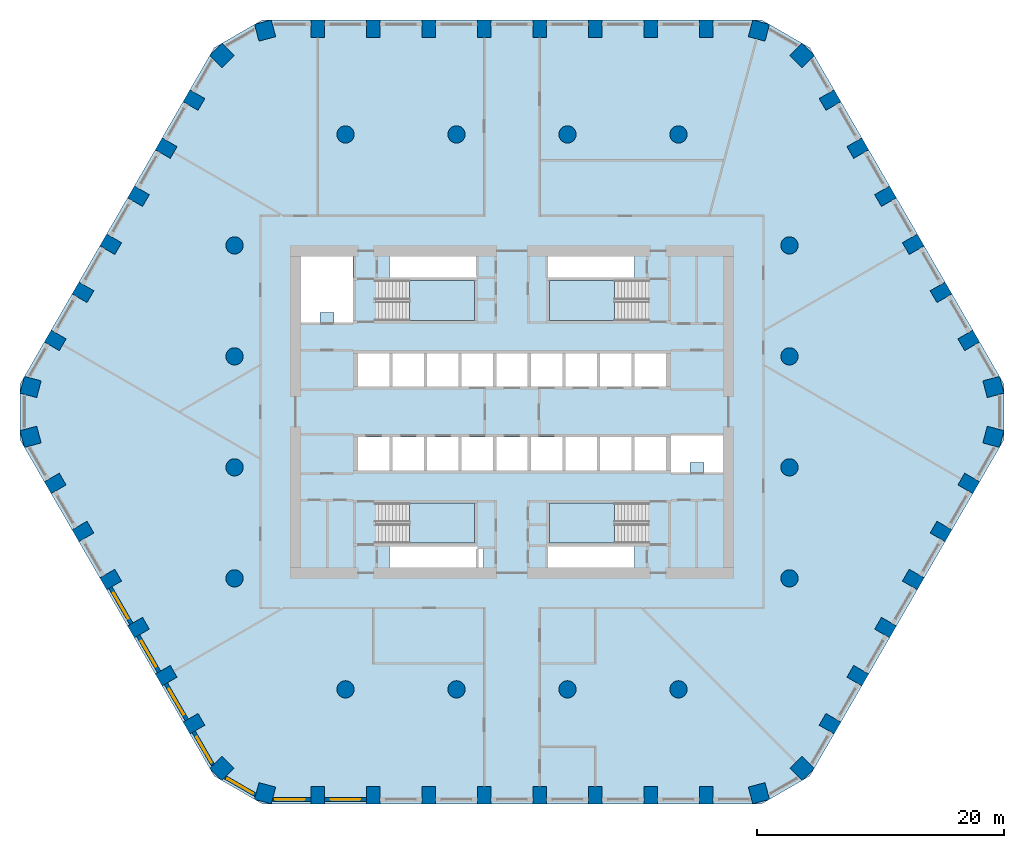
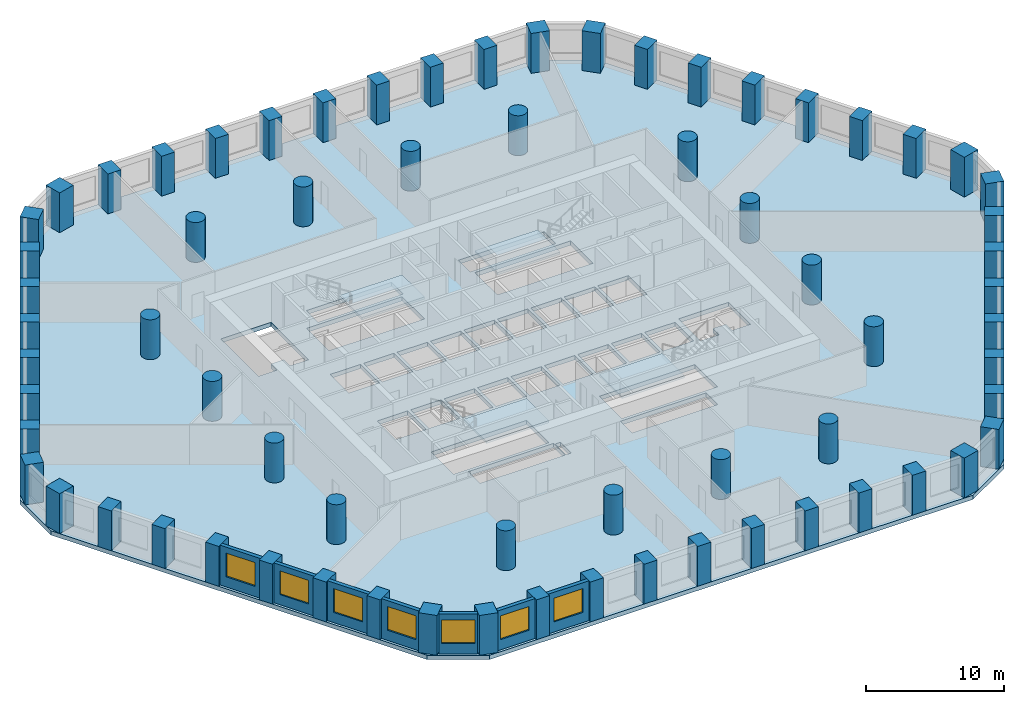
# One storey, part 1 of 10: 68 columns, 7 walls, 7 windows, 5 slabs, 7 openings, 4 elements without a shape of their own.
"""IFC4 building model written with IfcOpenShell, lengths in metres."""

import ifcopenshell
import ifcopenshell.guid

model = None  # the IFC model being written
_history = None  # IfcOwnerHistory: only IFC2X3 demands one
_inside = {}  # id of a spatial element -> (the spatial element, [elements in it])
_under = {}  # id of a project, library or spatial element -> (it, [spatial elements below it])
_declared = {}  # id of a project -> (the project, [libraries it declares])
_typed = {}  # id of a type object -> (the type object, [elements of that type])
_made_of = {}  # id of a material, layer set ... -> (it, [elements and type objects made of it])


def new_model(schema):
    """Start an empty IFC model of exactly this schema.

    Asked for "IFC4X3", IfcOpenShell would pick the latest addendum, in which some entities
    have other attributes; the version numbers below select the first issue.
    IFC2X3 requires an IfcOwnerHistory on every rooted entity: one is made here for all.
    """
    global model, _history
    if schema == "IFC4X3":
        model = ifcopenshell.file(schema_version=(4, 3, 0, 0))
    else:
        model = ifcopenshell.file(schema=schema)
    _inside.clear()
    _under.clear()
    _declared.clear()
    _typed.clear()
    _made_of.clear()
    _history = None
    if model.schema == "IFC2X3":
        org = make("IfcOrganization", Name="unknown")
        user = make(
            "IfcPersonAndOrganization",
            ThePerson=make("IfcPerson", FamilyName="unknown"),
            TheOrganization=org,
        )
        app = make(
            "IfcApplication",
            ApplicationDeveloper=org,
            Version="unknown",
            ApplicationFullName="unknown",
            ApplicationIdentifier="unknown",
        )
        _history = make(
            "IfcOwnerHistory",
            OwningUser=user,
            OwningApplication=app,
            ChangeAction="ADDED",
            CreationDate=0,
        )
    return model


def make(cls, **values):
    """One entity of the class cls with the attributes given. An attribute that is None is left unset."""
    return model.create_entity(
        cls, **{name: value for name, value in values.items() if value is not None}
    )


def rooted(cls, **values):
    """An entity with a GlobalId (a new one), such as an element, a storey or a relation."""
    return make(cls, GlobalId=ifcopenshell.guid.new(), OwnerHistory=_history, **values)


def si_unit(unit_type, name, prefix=None):
    """IfcSIUnit, for example si_unit("LENGTHUNIT", "METRE", prefix="MILLI")."""
    return make("IfcSIUnit", UnitType=unit_type, Prefix=prefix, Name=name)


def assignment(units):
    """IfcUnitAssignment: the units of a project."""
    return None if units is None else make("IfcUnitAssignment", Units=units)


def point(xyz):
    """IfcCartesianPoint."""
    return None if xyz is None else make("IfcCartesianPoint", Coordinates=xyz)


def direction(xyz):
    """IfcDirection."""
    return None if xyz is None else make("IfcDirection", DirectionRatios=xyz)


def frame(location, z_axis=None, x_axis=None):
    """IfcAxis2Placement3D, a coordinate frame: its origin and axes. An axis left out is left unset."""
    return make(
        "IfcAxis2Placement3D",
        Location=point(location),
        Axis=direction(z_axis),
        RefDirection=direction(x_axis),
    )


def frame_2d(location, x_axis=None):
    """IfcAxis2Placement2D, a coordinate frame in the plane: its origin and x axis."""
    return make(
        "IfcAxis2Placement2D", Location=point(location), RefDirection=direction(x_axis)
    )


def origin():
    """The frame at (0, 0, 0) with its axes left unset."""
    return frame((0.0, 0.0, 0.0))


def origin_2d():
    """The frame at (0, 0) in the plane with its x axis left unset."""
    return frame_2d((0.0, 0.0))


def place(relative_to, where):
    """IfcLocalPlacement: puts the frame where relative to a parent placement (None: the world)."""
    return make(
        "IfcLocalPlacement", PlacementRelTo=relative_to, RelativePlacement=where
    )


def context(
    kind, dimensions, precision=None, world=None, true_north=None, identifier=None
):
    """IfcGeometricRepresentationContext, for example the 3D "Model" context."""
    return make(
        "IfcGeometricRepresentationContext",
        ContextIdentifier=identifier,
        ContextType=kind,
        CoordinateSpaceDimension=dimensions,
        Precision=precision,
        WorldCoordinateSystem=world,
        TrueNorth=true_north,
    )


def subcontext(parent, identifier, kind, view, scale=None):
    """IfcGeometricRepresentationSubContext, for example "Body" below "Model"."""
    return make(
        "IfcGeometricRepresentationSubContext",
        ContextIdentifier=identifier,
        ContextType=kind,
        ParentContext=parent,
        TargetScale=scale,
        TargetView=view,
    )


def project(units=None, contexts=None):
    """IfcProject with its units and contexts."""
    return rooted(
        "IfcProject",
        Name="project",
        RepresentationContexts=contexts,
        UnitsInContext=assignment(units),
    )


def spatial(cls, under=None, at=None, **own):
    """A site, building, storey or space (cls), placed at a placement, below another one or the project."""
    s = rooted(cls, ObjectPlacement=at, **own)
    if under is not None:
        _under.setdefault(under.id(), (under, []))[1].append(s)
    return s


def polyline(points):
    """IfcPolyline through the points."""
    return make("IfcPolyline", Points=[point(p) for p in points])


def profile(cls, at=None, kind="AREA", **sizes):
    """A parametric profile (cls). Its sizes go by their IFC names, for example OverallWidth=200.0."""
    return make(cls, ProfileType=kind, Position=at, **sizes)


def rectangle(**sizes):
    """IfcRectangleProfileDef."""
    return profile("IfcRectangleProfileDef", **sizes)


def circle(**sizes):
    """IfcCircleProfileDef."""
    return profile("IfcCircleProfileDef", **sizes)


def outline(outer, holes=None, kind="AREA"):
    """IfcArbitraryClosedProfileDef: a profile drawn as a closed curve; with holes, ...WithVoids."""
    if holes is None:
        return make("IfcArbitraryClosedProfileDef", ProfileType=kind, OuterCurve=outer)
    return make(
        "IfcArbitraryProfileDefWithVoids",
        ProfileType=kind,
        OuterCurve=outer,
        InnerCurves=holes,
    )


def extrude(swept, where, along, depth):
    """IfcExtrudedAreaSolid: the profile swept, set in the frame where, extruded along a direction by depth."""
    return make(
        "IfcExtrudedAreaSolid",
        SweptArea=swept,
        Position=where,
        ExtrudedDirection=direction(along),
        Depth=depth,
    )


def shape(context_of_items, identifier, shape_type, items):
    """IfcShapeRepresentation: the items that make up one representation, for example the "Body"."""
    return make(
        "IfcShapeRepresentation",
        ContextOfItems=context_of_items,
        RepresentationIdentifier=identifier,
        RepresentationType=shape_type,
        Items=items,
    )


def material(Name=None, Category=None):
    """IfcMaterial."""
    return make("IfcMaterial", Name=Name, Category=Category)


def layer(
    of_material, thickness, ventilated=None, Name=None, Category=None, Priority=None
):
    """IfcMaterialLayer: one layer of a wall or slab, of a material (None: an air gap)."""
    return make(
        "IfcMaterialLayer",
        Material=of_material,
        LayerThickness=thickness,
        IsVentilated=ventilated,
        Name=Name,
        Category=Category,
        Priority=Priority,
    )


def layer_set(layers, Name=None):
    """IfcMaterialLayerSet."""
    return make("IfcMaterialLayerSet", MaterialLayers=layers, LayerSetName=Name)


def material_profile(
    of_material, cross_section, Name=None, Category=None, Priority=None
):
    """IfcMaterialProfile: a cross section and its material."""
    return make(
        "IfcMaterialProfile",
        Name=Name,
        Material=of_material,
        Profile=cross_section,
        Priority=Priority,
        Category=Category,
    )


def profile_set(profiles, Name=None, composite=None):
    """IfcMaterialProfileSet."""
    return make(
        "IfcMaterialProfileSet",
        Name=Name,
        MaterialProfiles=profiles,
        CompositeProfile=composite,
    )


def made_of(thing, what):
    """Note that an element or type object is made of a material, layer set ...; save() writes the relation."""
    if what is not None:
        _made_of.setdefault(what.id(), (what, []))[1].append(thing)
    return thing


def type_object(cls, material=None, **own):
    """A type object (cls), such as IfcWallType, which elements share."""
    return made_of(rooted(cls, **own), material)


def element(
    cls,
    number,
    at=None,
    inside=None,
    cuts=None,
    type_object=None,
    material=None,
    context=None,
    identifier="Body",
    shape_type=None,
    held_by="IfcProductDefinitionShape",
    body=None,
    shapes=None,
    **own,
):
    """One element of the class cls, such as IfcWall. Its Tag is "e" and its number.

    at: its placement. inside: the storey or other place that contains it. cuts: it is an
    opening in that element (IfcRelVoidsElement). A single representation is given by context,
    identifier, shape_type and body (its items); several are given by shapes. held_by: the class
    of the entity that holds the representations. save() writes the other relations.
    """
    e = rooted(cls, Tag="e%d" % number, ObjectPlacement=at, **own)
    if body is not None:
        shapes = [shape(context, identifier, shape_type, body)]
    if shapes is not None:
        e.Representation = make(held_by, Representations=shapes)
    if inside is not None:
        _inside.setdefault(inside.id(), (inside, []))[1].append(e)
    if cuts is not None:
        rooted(
            "IfcRelVoidsElement", RelatingBuildingElement=cuts, RelatedOpeningElement=e
        )
    if type_object is not None:
        _typed.setdefault(type_object.id(), (type_object, []))[1].append(e)
    return made_of(e, material)


def fill(opening, filler):
    """IfcRelFillsElement: the door or window that sits in an opening."""
    return rooted(
        "IfcRelFillsElement",
        RelatingOpeningElement=opening,
        RelatedBuildingElement=filler,
    )


def aggregate(whole, parts):
    """IfcRelAggregates: a whole, such as a stair, and the parts it consists of."""
    return rooted("IfcRelAggregates", RelatingObject=whole, RelatedObjects=parts)


def save(model, path):
    """Write the relations noted so far, then the file.

    IfcRelAggregates (storeys below a building ...), IfcRelContainedInSpatialStructure (elements
    in a storey), IfcRelDefinesByType, IfcRelAssociatesMaterial and IfcRelDeclares: one each for
    every whole, place, type object, material and project.
    """
    for whole, parts in _under.values():
        aggregate(whole, parts)
    for where, things in _inside.values():
        rooted(
            "IfcRelContainedInSpatialStructure",
            RelatedElements=things,
            RelatingStructure=where,
        )
    for kind, things in _typed.values():
        rooted("IfcRelDefinesByType", RelatedObjects=things, RelatingType=kind)
    for what, things in _made_of.values():
        rooted("IfcRelAssociatesMaterial", RelatedObjects=things, RelatingMaterial=what)
    for by, libraries in _declared.values():
        rooted("IfcRelDeclares", RelatingContext=by, RelatedDefinitions=libraries)
    model.write(path)


model = new_model("IFC4")

# Units and contexts
model_context = context("Model", 3, precision=1e-05, world=origin(), true_north=direction((0.0, 1.0)))
body_context = subcontext(model_context, "Body", "Model", "MODEL_VIEW")
ifc_project = project(units=[si_unit("LENGTHUNIT", "METRE"), si_unit("AREAUNIT", "SQUARE_METRE"), si_unit("VOLUMEUNIT", "CUBIC_METRE"), si_unit("PLANEANGLEUNIT", "RADIAN"), si_unit("MASSUNIT", "GRAM", prefix="KILO")], contexts=[model_context])

# Site, building, storey
site_placement = place(None, origin())
site = spatial("IfcSite", under=ifc_project, at=site_placement, CompositionType="ELEMENT")
building_placement = place(site_placement, origin())
building = spatial("IfcBuilding", under=site, at=building_placement, Name="Dhurran Vertical Campus", CompositionType="ELEMENT")
storey_placement = place(building_placement, frame((0.0, 0.0, 45.60009765625)))
storey = spatial("IfcBuildingStorey", under=building, at=storey_placement, Name="L10", CompositionType="ELEMENT", Elevation=45.60009765625)

# Columns
ifc_material_1 = material(Name="Concrete C70/85", Category="concrete")
ifc_material_profile_1 = material_profile(ifc_material_1, rectangle(XDim=1.10009765625, YDim=1.39990234375, at=origin_2d()), Name="RC 1100x1400")
ifc_profile_set_1 = profile_set([ifc_material_profile_1], Name="Concrete C70/85")
column_type_1 = type_object("IfcColumnType", Name="FR COL RC 1100x1400 C70/85", PredefinedType="COLUMN", material=ifc_profile_set_1)
for number, where, z_axis, x_axis, name in (
    (1, (-15.75, -31.079833984375, 0.0), (0.0, 0.0, 1.0), (1.0, 0.0, 0.0), "Perimeter pier PP1.01"),
    (2, (-11.25, -31.079833984375, 0.0), (0.0, 0.0, 1.0), (1.0, 0.0, 0.0), "Perimeter pier PP1.02"),
    (3, (-6.75, -31.079833984375, 0.0), (0.0, 0.0, 1.0), (1.0, 0.0, 0.0), "Perimeter pier PP1.03"),
    (4, (-2.25, -31.079833984375, 0.0), (0.0, 0.0, 1.0), (1.0, 0.0, 0.0), "Perimeter pier PP1.04"),
    (5, (2.25, -31.079833984375, 0.0), (0.0, 0.0, 1.0), (1.0, 0.0, 0.0), "Perimeter pier PP1.05"),
    (6, (6.75, -31.079833984375, 0.0), (0.0, 0.0, 1.0), (1.0, 0.0, 0.0), "Perimeter pier PP1.06"),
    (7, (11.25, -31.079833984375, 0.0), (0.0, 0.0, 1.0), (1.0, 0.0, 0.0), "Perimeter pier PP1.07"),
    (8, (15.75, -31.079833984375, 0.0), (0.0, 0.0, 1.0), (1.0, 0.0, 0.0), "Perimeter pier PP1.08"),
    (9, (25.791015625, -25.28271484375, 0.0), (0.0, 0.0, 1.0), (0.5, 0.866025403784, 0.0), "Perimeter pier PP1.11"),
    (10, (28.041015625, -21.385498046875, 0.0), (0.0, 0.0, 1.0), (0.5, 0.866025403784, 0.0), "Perimeter pier PP1.12"),
    (11, (30.291015625, -17.488525390625, 0.0), (0.0, 0.0, 1.0), (0.5, 0.866025403784, 0.0), "Perimeter pier PP1.13"),
    (12, (32.541015625, -13.59130859375, 0.0), (0.0, 0.0, 1.0), (0.5, 0.866025403784, 0.0), "Perimeter pier PP1.14"),
    (13, (34.791015625, -9.694091796875, 0.0), (0.0, 0.0, 1.0), (0.5, 0.866025403784, 0.0), "Perimeter pier PP1.15"),
    (14, (37.041015625, -5.797119140625, 0.0), (0.0, 0.0, 1.0), (0.5, 0.866025403784, 0.0), "Perimeter pier PP1.16"),
    (15, (37.041015625, 5.797119140625, 0.0), (0.0, 0.0, 1.0), (-0.5, 0.866025403784, 0.0), "Perimeter pier PP1.19"),
    (16, (34.791015625, 9.694091796875, 0.0), (0.0, 0.0, 1.0), (-0.5, 0.866025403784, 0.0), "Perimeter pier PP1.20"),
    (17, (32.541015625, 13.59130859375, 0.0), (0.0, 0.0, 1.0), (-0.5, 0.866025403784, 0.0), "Perimeter pier PP1.21"),
    (18, (30.291015625, 17.488525390625, 0.0), (0.0, 0.0, 1.0), (-0.5, 0.866025403784, 0.0), "Perimeter pier PP1.22"),
    (19, (28.041015625, 21.385498046875, 0.0), (0.0, 0.0, 1.0), (-0.5, 0.866025403784, 0.0), "Perimeter pier PP1.23"),
    (20, (25.791015625, 25.28271484375, 0.0), (0.0, 0.0, 1.0), (-0.5, 0.866025403784, 0.0), "Perimeter pier PP1.24"),
    (21, (15.75, 31.079833984375, 0.0), (0.0, 0.0, 1.0), (-1.0, 0.0, 0.0), "Perimeter pier PP1.27"),
    (22, (11.25, 31.079833984375, 0.0), (0.0, 0.0, 1.0), (-1.0, 0.0, 0.0), "Perimeter pier PP1.28"),
    (23, (6.75, 31.079833984375, 0.0), (0.0, 0.0, 1.0), (-1.0, 0.0, 0.0), "Perimeter pier PP1.29"),
    (24, (2.25, 31.079833984375, 0.0), (0.0, 0.0, 1.0), (-1.0, 0.0, 0.0), "Perimeter pier PP1.30"),
    (25, (-2.25, 31.079833984375, 0.0), (0.0, 0.0, 1.0), (-1.0, 0.0, 0.0), "Perimeter pier PP1.31"),
    (26, (-6.75, 31.079833984375, 0.0), (0.0, 0.0, 1.0), (-1.0, 0.0, 0.0), "Perimeter pier PP1.32"),
    (27, (-11.25, 31.079833984375, 0.0), (0.0, 0.0, 1.0), (-1.0, 0.0, 0.0), "Perimeter pier PP1.33"),
    (28, (-15.75, 31.079833984375, 0.0), (0.0, 0.0, 1.0), (-1.0, 0.0, 0.0), "Perimeter pier PP1.34"),
    (29, (-25.791015625, 25.28271484375, 0.0), (0.0, 0.0, 1.0), (-0.5, -0.866025403784, 0.0), "Perimeter pier PP1.37"),
    (30, (-28.041015625, 21.385498046875, 0.0), (0.0, 0.0, 1.0), (-0.5, -0.866025403784, 0.0), "Perimeter pier PP1.38"),
    (31, (-30.291015625, 17.488525390625, 0.0), (0.0, 0.0, 1.0), (-0.5, -0.866025403784, 0.0), "Perimeter pier PP1.39"),
    (32, (-32.541015625, 13.59130859375, 0.0), (0.0, 0.0, 1.0), (-0.5, -0.866025403784, 0.0), "Perimeter pier PP1.40"),
    (33, (-34.791015625, 9.694091796875, 0.0), (0.0, 0.0, 1.0), (-0.5, -0.866025403784, 0.0), "Perimeter pier PP1.41"),
    (34, (-37.041015625, 5.797119140625, 0.0), (0.0, 0.0, 1.0), (-0.5, -0.866025403784, 0.0), "Perimeter pier PP1.42"),
    (35, (-37.041015625, -5.797119140625, 0.0), (0.0, 0.0, 1.0), (0.5, -0.866025403784, 0.0), "Perimeter pier PP1.45"),
    (36, (-34.791015625, -9.694091796875, 0.0), (0.0, 0.0, 1.0), (0.5, -0.866025403784, 0.0), "Perimeter pier PP1.46"),
    (37, (-32.541015625, -13.59130859375, 0.0), (0.0, 0.0, 1.0), (0.5, -0.866025403784, 0.0), "Perimeter pier PP1.47"),
    (38, (-30.291015625, -17.488525390625, 0.0), (0.0, 0.0, 1.0), (0.5, -0.866025403784, 0.0), "Perimeter pier PP1.48"),
    (39, (-28.041015625, -21.385498046875, 0.0), (0.0, 0.0, 1.0), (0.5, -0.866025403784, 0.0), "Perimeter pier PP1.49"),
    (40, (-25.791015625, -25.28271484375, 0.0), (0.0, 0.0, 1.0), (0.5, -0.866025403784, 0.0), "Perimeter pier PP1.50"),
):
    element("IfcColumn", number, at=place(storey_placement, frame(where, z_axis=z_axis, x_axis=x_axis)), inside=storey, type_object=column_type_1, Name=name, PredefinedType="COLUMN", context=body_context, shape_type="SweptSolid", body=[
        extrude(rectangle(XDim=1.10009765625, YDim=1.39990234375, at=origin_2d()), origin(), (0.0, 0.0, 1.0), 3.52490234375),
    ])
ifc_material_2 = material(Name="Concrete C70/85", Category="concrete")
ifc_material_profile_2 = material_profile(ifc_material_2, rectangle(XDim=1.39990234375, YDim=1.39990234375, at=origin_2d()), Name="RC 1400x1400")
ifc_profile_set_2 = profile_set([ifc_material_profile_2], Name="Concrete C70/85")
column_type_2 = type_object("IfcColumnType", Name="FR COL RC 1400x1400 C70/85", PredefinedType="COLUMN", material=ifc_profile_set_2)
for number, where, z_axis, x_axis, name in (
    (41, (-20.020263671875, -30.922607421875, 0.0), (0.0, 0.0, 1.0), (0.965925826289, -0.258819045103, 0.0), "Perimeter pier PP1.00"),
    (42, (20.020263671875, -30.922607421875, 0.0), (0.0, 0.0, 1.0), (0.965925826289, 0.258819045103, 0.0), "Perimeter pier PP1.09"),
    (43, (23.51953125, -28.902099609375, 0.0), (0.0, 0.0, 1.0), (0.707106781187, 0.707106781187, 0.0), "Perimeter pier PP1.10"),
    (44, (39.039794921875, -2.020263671875, 0.0), (0.0, 0.0, 1.0), (0.258819045103, 0.965925826289, 0.0), "Perimeter pier PP1.17"),
    (45, (39.039794921875, 2.020263671875, 0.0), (0.0, 0.0, 1.0), (-0.258819045103, 0.965925826289, 0.0), "Perimeter pier PP1.18"),
    (46, (23.51953125, 28.902099609375, 0.0), (0.0, 0.0, 1.0), (-0.707106781187, 0.707106781187, 0.0), "Perimeter pier PP1.25"),
    (47, (20.020263671875, 30.922607421875, 0.0), (0.0, 0.0, 1.0), (-0.965925826289, 0.258819045103, 0.0), "Perimeter pier PP1.26"),
    (48, (-20.020263671875, 30.922607421875, 0.0), (0.0, 0.0, 1.0), (-0.965925826289, -0.258819045103, 0.0), "Perimeter pier PP1.35"),
    (49, (-23.51953125, 28.902099609375, 0.0), (0.0, 0.0, 1.0), (-0.707106781187, -0.707106781187, 0.0), "Perimeter pier PP1.36"),
    (50, (-39.039794921875, 2.020263671875, 0.0), (0.0, 0.0, 1.0), (-0.258819045103, -0.965925826289, 0.0), "Perimeter pier PP1.43"),
    (51, (-39.039794921875, -2.020263671875, 0.0), (0.0, 0.0, 1.0), (0.258819045103, -0.965925826289, 0.0), "Perimeter pier PP1.44"),
    (52, (-23.51953125, -28.902099609375, 0.0), (0.0, 0.0, 1.0), (0.707106781187, -0.707106781187, 0.0), "Perimeter pier PP1.51"),
):
    element("IfcColumn", number, at=place(storey_placement, frame(where, z_axis=z_axis, x_axis=x_axis)), inside=storey, type_object=column_type_2, Name=name, PredefinedType="COLUMN", context=body_context, shape_type="SweptSolid", body=[
        extrude(rectangle(XDim=1.39990234375, YDim=1.39990234375, at=origin_2d()), origin(), (0.0, 0.0, 1.0), 3.52490234375),
    ])
ifc_material_3 = material(Name="Concrete C70/85", Category="concrete")
ifc_material_profile_3 = material_profile(ifc_material_3, circle(Radius=0.699951171875, at=origin_2d()), Name="RCC D1400")
ifc_profile_set_3 = profile_set([ifc_material_profile_3], Name="Concrete C70/85")
column_type_3 = type_object("IfcColumnType", Name="FR COL RCC D1400 C70/85", PredefinedType="COLUMN", material=ifc_profile_set_3)
for number, where, z_axis, x_axis, name in (
    (53, (-22.5, -13.5, 0.0), (0.0, 0.0, 1.0), (1.0, 0.0, 0.0), "Inner column IC1-D4"),
    (54, (-22.5, -4.5, 0.0), (0.0, 0.0, 1.0), (1.0, 0.0, 0.0), "Inner column IC1-D5"),
    (55, (-22.5, 4.5, 0.0), (0.0, 0.0, 1.0), (1.0, 0.0, 0.0), "Inner column IC1-D6"),
    (56, (-22.5, 13.5, 0.0), (0.0, 0.0, 1.0), (1.0, 0.0, 0.0), "Inner column IC1-D7"),
    (57, (-13.5, -22.5, 0.0), (0.0, 0.0, 1.0), (1.0, 0.0, 0.0), "Inner column IC1-E3"),
    (58, (-13.5, 22.5, 0.0), (0.0, 0.0, 1.0), (1.0, 0.0, 0.0), "Inner column IC1-E8"),
    (59, (-4.5, -22.5, 0.0), (0.0, 0.0, 1.0), (1.0, 0.0, 0.0), "Inner column IC1-F3"),
    (60, (-4.5, 22.5, 0.0), (0.0, 0.0, 1.0), (1.0, 0.0, 0.0), "Inner column IC1-F8"),
    (61, (4.5, -22.5, 0.0), (0.0, 0.0, 1.0), (1.0, 0.0, 0.0), "Inner column IC1-G3"),
    (62, (4.5, 22.5, 0.0), (0.0, 0.0, 1.0), (1.0, 0.0, 0.0), "Inner column IC1-G8"),
    (63, (13.5, -22.5, 0.0), (0.0, 0.0, 1.0), (1.0, 0.0, 0.0), "Inner column IC1-H3"),
    (64, (13.5, 22.5, 0.0), (0.0, 0.0, 1.0), (1.0, 0.0, 0.0), "Inner column IC1-H8"),
    (65, (22.5, -13.5, 0.0), (0.0, 0.0, 1.0), (1.0, 0.0, 0.0), "Inner column IC1-J4"),
    (66, (22.5, -4.5, 0.0), (0.0, 0.0, 1.0), (1.0, 0.0, 0.0), "Inner column IC1-J5"),
    (67, (22.5, 4.5, 0.0), (0.0, 0.0, 1.0), (1.0, 0.0, 0.0), "Inner column IC1-J6"),
    (68, (22.5, 13.5, 0.0), (0.0, 0.0, 1.0), (1.0, 0.0, 0.0), "Inner column IC1-J7"),
):
    element("IfcColumn", number, at=place(storey_placement, frame(where, z_axis=z_axis, x_axis=x_axis)), inside=storey, type_object=column_type_3, Name=name, PredefinedType="COLUMN", context=body_context, shape_type="SweptSolid", body=[
        extrude(circle(Radius=0.699951171875, at=origin_2d()), origin(), (0.0, 0.0, 1.0), 3.52490234375),
    ])

# Slab
ifc_material_4 = material(Name="Concrete C40/50", Category="concrete")
ifc_layer_1 = layer(ifc_material_4, 0.375)
ifc_layer_set_1 = layer_set([ifc_layer_1], Name="Concrete C40/50")
slab_type_1 = type_object("IfcSlabType", Name="FR POST-TENSIONED FLAT SLAB 375", PredefinedType="FLOOR", material=ifc_layer_set_1)
slab_1_placement = place(storey_placement, frame((0.0, 0.0, -0.375)))
element("IfcSlab", 69, at=slab_1_placement, inside=storey, type_object=slab_type_1, Name="Floor slab L10", PredefinedType="FLOOR", context=body_context, shape_type="SweptSolid", body=[
    extrude(outline(polyline([(-20.25, -31.77978515625), (20.25, -31.77978515625), (24.147216796875, -29.52978515625), (39.897216796875, -2.25), (39.897216796875, 2.25), (24.147216796875, 29.52978515625), (20.25, 31.77978515625), (-20.25, 31.77978515625), (-24.147216796875, 29.52978515625), (-39.897216796875, 2.25), (-39.897216796875, -2.25), (-24.147216796875, -29.52978515625), (-20.25, -31.77978515625)]), holes=[polyline([(-12.47509765625, 2.050048828125), (-9.925048828125, 2.050048828125), (-9.925048828125, 4.75), (-12.47509765625, 4.75), (-12.47509765625, 2.050048828125)]), polyline([(-9.675048828125, 2.050048828125), (-7.125, 2.050048828125), (-7.125, 4.75), (-9.675048828125, 4.75), (-9.675048828125, 2.050048828125)]), polyline([(-6.875, 2.050048828125), (-4.324951171875, 2.050048828125), (-4.324951171875, 4.75), (-6.875, 4.75), (-6.875, 2.050048828125)]), polyline([(-1.27490234375, 2.050048828125), (1.27490234375, 2.050048828125), (1.27490234375, 4.75), (-1.27490234375, 4.75), (-1.27490234375, 2.050048828125)]), polyline([(9.925048828125, 2.050048828125), (12.47509765625, 2.050048828125), (12.47509765625, 4.75), (9.925048828125, 4.75), (9.925048828125, 2.050048828125)]), polyline([(-1.27490234375, -4.75), (1.27490234375, -4.75), (1.27490234375, -2.050048828125), (-1.27490234375, -2.050048828125), (-1.27490234375, -4.75)]), polyline([(1.52490234375, -4.75), (4.074951171875, -4.75), (4.074951171875, -2.050048828125), (1.52490234375, -2.050048828125), (1.52490234375, -4.75)]), polyline([(4.324951171875, -4.75), (6.875, -4.75), (6.875, -2.050048828125), (4.324951171875, -2.050048828125), (4.324951171875, -4.75)]), polyline([(7.125, -4.75), (9.675048828125, -4.75), (9.675048828125, -2.050048828125), (7.125, -2.050048828125), (7.125, -4.75)]), polyline([(9.925048828125, -4.75), (12.47509765625, -4.75), (12.47509765625, -2.050048828125), (9.925048828125, -2.050048828125), (9.925048828125, -4.75)]), polyline([(-4.074951171875, 2.050048828125), (-1.52490234375, 2.050048828125), (-1.52490234375, 4.75), (-4.074951171875, 4.75), (-4.074951171875, 2.050048828125)]), polyline([(1.52490234375, 2.050048828125), (4.074951171875, 2.050048828125), (4.074951171875, 4.75), (1.52490234375, 4.75), (1.52490234375, 2.050048828125)]), polyline([(4.324951171875, 2.050048828125), (6.875, 2.050048828125), (6.875, 4.75), (4.324951171875, 4.75), (4.324951171875, 2.050048828125)]), polyline([(7.125, 2.050048828125), (9.675048828125, 2.050048828125), (9.675048828125, 4.75), (7.125, 4.75), (7.125, 2.050048828125)]), polyline([(-12.47509765625, -4.75), (-9.925048828125, -4.75), (-9.925048828125, -2.050048828125), (-12.47509765625, -2.050048828125), (-12.47509765625, -4.75)]), polyline([(-9.675048828125, -4.75), (-7.125, -4.75), (-7.125, -2.050048828125), (-9.675048828125, -2.050048828125), (-9.675048828125, -4.75)]), polyline([(-6.875, -4.75), (-4.324951171875, -4.75), (-4.324951171875, -2.050048828125), (-6.875, -2.050048828125), (-6.875, -4.75)]), polyline([(-4.074951171875, -4.75), (-1.52490234375, -4.75), (-1.52490234375, -2.050048828125), (-4.074951171875, -2.050048828125), (-4.074951171875, -4.75)]), polyline([(-11.050048828125, 7.39990234375), (-3.050048828125, 7.39990234375), (-3.050048828125, 10.64990234375), (-11.050048828125, 10.64990234375), (-11.050048828125, 7.39990234375)]), polyline([(3.050048828125, 7.39990234375), (11.050048828125, 7.39990234375), (11.050048828125, 10.64990234375), (3.050048828125, 10.64990234375), (3.050048828125, 7.39990234375)]), polyline([(-11.050048828125, -10.64990234375), (-3.050048828125, -10.64990234375), (-3.050048828125, -7.39990234375), (-11.050048828125, -7.39990234375), (-11.050048828125, -10.64990234375)]), polyline([(3.050048828125, -10.64990234375), (11.050048828125, -10.64990234375), (11.050048828125, -7.39990234375), (3.050048828125, -7.39990234375), (3.050048828125, -10.64990234375)]), polyline([(-9.949951171875, 10.89990234375), (-9.949951171875, 12.60009765625), (-2.800048828125, 12.60009765625), (-2.800048828125, 10.89990234375), (-9.949951171875, 10.89990234375)]), polyline([(9.949951171875, 12.60009765625), (9.949951171875, 10.89990234375), (2.800048828125, 10.89990234375), (2.800048828125, 12.60009765625), (9.949951171875, 12.60009765625)]), polyline([(-9.949951171875, -12.60009765625), (-9.949951171875, -10.89990234375), (-2.800048828125, -10.89990234375), (-2.800048828125, -12.60009765625), (-9.949951171875, -12.60009765625)]), polyline([(9.949951171875, -10.89990234375), (9.949951171875, -12.60009765625), (2.800048828125, -12.60009765625), (2.800048828125, -10.89990234375), (9.949951171875, -10.89990234375)]), polyline([(-12.89990234375, 12.60009765625), (-12.89990234375, 7.14990234375), (-14.449951171875, 7.14990234375), (-14.449951171875, 8.050048828125), (-15.550048828125, 8.050048828125), (-15.550048828125, 7.14990234375), (-17.10009765625, 7.14990234375), (-17.10009765625, 12.60009765625), (-12.89990234375, 12.60009765625)]), polyline([(-2.300048828125, -11.02490234375), (-2.300048828125, -12.60009765625), (-2.75, -12.60009765625), (-2.75, -11.02490234375), (-2.300048828125, -11.02490234375)]), polyline([(17.10009765625, -1.800048828125), (17.10009765625, -5.0), (15.550048828125, -5.0), (15.550048828125, -4.10009765625), (14.449951171875, -4.10009765625), (14.449951171875, -5.0), (12.89990234375, -5.0), (12.89990234375, -1.800048828125), (17.10009765625, -1.800048828125)])]), origin(), (0.0, 0.0, 1.0), 0.375),
])

# Stair, slab
ifc_material_5 = material(Name="Concrete C40/50", Category="concrete")
stair_type = type_object("IfcStairType", Name="co-ST-CORE", PredefinedType="HALF_TURN_STAIR", material=ifc_material_5)
stair_1_placement = place(storey_placement, origin())
stair_1 = element("IfcStair", 70, at=stair_1_placement, inside=storey, type_object=stair_type, Name="L10 Protected exit stair ST1", PredefinedType="HALF_TURN_STAIR")
ifc_material_6 = material(Name="Concrete C40/50", Category="concrete")
ifc_layer_2 = layer(ifc_material_6, 0.199951171875)
ifc_layer_set_2 = layer_set([ifc_layer_2], Name="Concrete C40/50")
slab_type_2 = type_object("IfcSlabType", Name="co-SL-LANDING", PredefinedType="LANDING", material=ifc_layer_set_2)
slab_2_placement = place(storey_placement, frame((0.0, 0.0, 1.75)))
slab_2 = element("IfcSlab", 71, at=slab_2_placement, type_object=slab_type_2, Name="ST1 landing 1", PredefinedType="LANDING", context=body_context, shape_type="SweptSolid", body=[
    extrude(outline(polyline([(-8.300048828125, 7.39990234375), (-3.050048828125, 7.39990234375), (-3.050048828125, 10.64990234375), (-8.300048828125, 10.64990234375), (-8.300048828125, 7.39990234375)])), origin(), (0.0, 0.0, 1.0), 0.199951171875),
])
aggregate(stair_1, [slab_2])

stair_2_placement = place(storey_placement, origin())
stair_2 = element("IfcStair", 72, at=stair_2_placement, inside=storey, type_object=stair_type, Name="L10 Protected exit stair ST2", PredefinedType="HALF_TURN_STAIR")
slab_3_placement = place(storey_placement, frame((0.0, 0.0, 1.75)))
slab_3 = element("IfcSlab", 73, at=slab_3_placement, type_object=slab_type_2, Name="ST2 landing 1", PredefinedType="LANDING", context=body_context, shape_type="SweptSolid", body=[
    extrude(outline(polyline([(8.300048828125, 10.64990234375), (3.050048828125, 10.64990234375), (3.050048828125, 7.39990234375), (8.300048828125, 7.39990234375), (8.300048828125, 10.64990234375)])), origin(), (0.0, 0.0, 1.0), 0.199951171875),
])
aggregate(stair_2, [slab_3])

stair_3_placement = place(storey_placement, origin())
stair_3 = element("IfcStair", 74, at=stair_3_placement, inside=storey, type_object=stair_type, Name="L10 Protected exit stair ST3", PredefinedType="HALF_TURN_STAIR")
slab_4_placement = place(storey_placement, frame((0.0, 0.0, 1.75)))
slab_4 = element("IfcSlab", 75, at=slab_4_placement, type_object=slab_type_2, Name="ST3 landing 1", PredefinedType="LANDING", context=body_context, shape_type="SweptSolid", body=[
    extrude(outline(polyline([(-8.300048828125, -10.64990234375), (-3.050048828125, -10.64990234375), (-3.050048828125, -7.39990234375), (-8.300048828125, -7.39990234375), (-8.300048828125, -10.64990234375)])), origin(), (0.0, 0.0, 1.0), 0.199951171875),
])
aggregate(stair_3, [slab_4])

stair_4_placement = place(storey_placement, origin())
stair_4 = element("IfcStair", 76, at=stair_4_placement, inside=storey, type_object=stair_type, Name="L10 Protected exit stair ST4", PredefinedType="HALF_TURN_STAIR")
slab_5_placement = place(storey_placement, frame((0.0, 0.0, 1.75)))
slab_5 = element("IfcSlab", 77, at=slab_5_placement, type_object=slab_type_2, Name="ST4 landing 1", PredefinedType="LANDING", context=body_context, shape_type="SweptSolid", body=[
    extrude(outline(polyline([(8.300048828125, -7.39990234375), (3.050048828125, -7.39990234375), (3.050048828125, -10.64990234375), (8.300048828125, -10.64990234375), (8.300048828125, -7.39990234375)])), origin(), (0.0, 0.0, 1.0), 0.199951171875),
])
aggregate(stair_4, [slab_5])

# Wall, opening, window
ifc_material_7 = material(Name="Precast concrete C50/60", Category="concrete")
ifc_layer_3 = layer(ifc_material_7, 0.300048828125)
ifc_layer_set_3 = layer_set([ifc_layer_3], Name="Precast concrete C50/60")
wall_type = type_object("IfcWallType", Name="Precast spandrel wall 300", PredefinedType="SOLIDWALL", material=ifc_layer_set_3)
wall_1_placement = place(storey_placement, frame((-19.39111328125, -31.4296875, 0.0), z_axis=(0.0, 0.0, 1.0), x_axis=(1.0, 0.0, 0.0)))
wall_1 = element("IfcWall", 78, at=wall_1_placement, inside=storey, type_object=wall_type, Name="EW1 L10.00", PredefinedType="SOLIDWALL", context=body_context, shape_type="SweptSolid", body=[
    extrude(rectangle(XDim=3.090576171875, YDim=0.300048828125, at=frame_2d((1.54541015625, 0.0))), origin(), (0.0, 0.0, 1.0), 3.52490234375),
])
opening_1_placement = place(wall_1_placement, frame((0.191162109375, 0.0, 0.89990234375)))
opening_1 = element("IfcOpeningElement", 79, at=opening_1_placement, cuts=wall_1, Name="Opening WT1", PredefinedType="OPENING", context=body_context, shape_type="SweptSolid", body=[
    extrude(rectangle(XDim=2.39990234375, YDim=2.10009765625, at=frame_2d((1.199951171875, 1.050048828125))), frame((0.0, 0.159912109375, 0.0), z_axis=(0.0, -1.0, 0.0), x_axis=(1.0, 0.0, 0.0)), (0.0, 0.0, 1.0), 0.320068359375),
])
ifc_material_8 = material(Name="Aluminium frame with solar-control glass", Category="aluminium")
window_type = type_object("IfcWindowType", Name="Punched window 2400 x 2100", PartitioningType="SINGLE_PANEL", PredefinedType="WINDOW", material=ifc_material_8)
window_1_placement = place(opening_1_placement, origin())
window_1 = element("IfcWindow", 80, at=window_1_placement, inside=storey, type_object=window_type, Name="WT1 L10.00", OverallHeight=2.10009765625, OverallWidth=2.39990234375, PartitioningType="SINGLE_PANEL", PredefinedType="WINDOW", context=body_context, shape_type="SweptSolid", body=[
    extrude(rectangle(XDim=2.39990234375, YDim=2.10009765625, at=frame_2d((1.199951171875, 1.050048828125))), frame((0.0, 0.030029296875, 0.0), z_axis=(0.0, -1.0, 0.0), x_axis=(1.0, 0.0, 0.0)), (0.0, 0.0, 1.0), 0.06005859375),
])
fill(opening_1, window_1)

wall_2_placement = place(storey_placement, frame((-15.199462890625, -31.4296875, 0.0), z_axis=(0.0, 0.0, 1.0), x_axis=(1.0, 0.0, 0.0)))
wall_2 = element("IfcWall", 81, at=wall_2_placement, inside=storey, type_object=wall_type, Name="EW1 L10.01", PredefinedType="SOLIDWALL", context=body_context, shape_type="SweptSolid", body=[
    extrude(rectangle(XDim=3.39892578125, YDim=0.300048828125, at=frame_2d((1.699462890625, 0.0))), origin(), (0.0, 0.0, 1.0), 3.52490234375),
])
opening_2_placement = place(wall_2_placement, frame((0.49951171875, 0.0, 0.89990234375)))
opening_2 = element("IfcOpeningElement", 82, at=opening_2_placement, cuts=wall_2, Name="Opening WT1", PredefinedType="OPENING", context=body_context, shape_type="SweptSolid", body=[
    extrude(rectangle(XDim=2.39990234375, YDim=2.10009765625, at=frame_2d((1.199951171875, 1.050048828125))), frame((0.0, 0.159912109375, 0.0), z_axis=(0.0, -1.0, 0.0), x_axis=(1.0, 0.0, 0.0)), (0.0, 0.0, 1.0), 0.320068359375),
])
window_2_placement = place(opening_2_placement, origin())
window_2 = element("IfcWindow", 83, at=window_2_placement, inside=storey, type_object=window_type, Name="WT1 L10.01", OverallHeight=2.10009765625, OverallWidth=2.39990234375, PartitioningType="SINGLE_PANEL", PredefinedType="WINDOW", context=body_context, shape_type="SweptSolid", body=[
    extrude(rectangle(XDim=2.39990234375, YDim=2.10009765625, at=frame_2d((1.199951171875, 1.050048828125))), frame((0.0, 0.030029296875, 0.0), z_axis=(0.0, -1.0, 0.0), x_axis=(1.0, 0.0, 0.0)), (0.0, 0.0, 1.0), 0.06005859375),
])
fill(opening_2, window_2)

wall_3_placement = place(storey_placement, frame((-32.56884765625, -14.2431640625, 0.0), z_axis=(0.0, 0.0, 1.0), x_axis=(0.499993955907, -0.866028893315, 0.0)))
wall_3 = element("IfcWall", 84, at=wall_3_placement, inside=storey, type_object=wall_type, Name="EW1 L10.47", PredefinedType="SOLIDWALL", context=body_context, shape_type="SweptSolid", body=[
    extrude(rectangle(XDim=3.39892578125, YDim=0.300048828125, at=frame_2d((1.699462890625, 0.0))), origin(), (0.0, 0.0, 1.0), 3.52490234375),
])
opening_3_placement = place(wall_3_placement, frame((0.49951171875, 0.0, 0.89990234375)))
opening_3 = element("IfcOpeningElement", 85, at=opening_3_placement, cuts=wall_3, Name="Opening WT1", PredefinedType="OPENING", context=body_context, shape_type="SweptSolid", body=[
    extrude(rectangle(XDim=2.39990234375, YDim=2.10009765625, at=frame_2d((1.199951171875, 1.050048828125))), frame((0.0, 0.159912109375, 0.0), z_axis=(0.0, -1.0, 0.0), x_axis=(1.0, 0.0, 0.0)), (0.0, 0.0, 1.0), 0.320068359375),
])
window_3_placement = place(opening_3_placement, origin())
window_3 = element("IfcWindow", 86, at=window_3_placement, inside=storey, type_object=window_type, Name="WT1 L10.47", OverallHeight=2.10009765625, OverallWidth=2.39990234375, PartitioningType="SINGLE_PANEL", PredefinedType="WINDOW", context=body_context, shape_type="SweptSolid", body=[
    extrude(rectangle(XDim=2.39990234375, YDim=2.10009765625, at=frame_2d((1.199951171875, 1.050048828125))), frame((0.0, 0.030029296875, 0.0), z_axis=(0.0, -1.0, 0.0), x_axis=(1.0, 0.0, 0.0)), (0.0, 0.0, 1.0), 0.06005859375),
])
fill(opening_3, window_3)

wall_4_placement = place(storey_placement, frame((-30.31884765625, -18.14013671875, 0.0), z_axis=(0.0, 0.0, 1.0), x_axis=(0.499993955907, -0.866028893315, 0.0)))
wall_4 = element("IfcWall", 87, at=wall_4_placement, inside=storey, type_object=wall_type, Name="EW1 L10.48", PredefinedType="SOLIDWALL", context=body_context, shape_type="SweptSolid", body=[
    extrude(rectangle(XDim=3.39892578125, YDim=0.300048828125, at=frame_2d((1.699462890625, 0.0))), origin(), (0.0, 0.0, 1.0), 3.52490234375),
])
opening_4_placement = place(wall_4_placement, frame((0.49951171875, 0.0, 0.89990234375)))
opening_4 = element("IfcOpeningElement", 88, at=opening_4_placement, cuts=wall_4, Name="Opening WT1", PredefinedType="OPENING", context=body_context, shape_type="SweptSolid", body=[
    extrude(rectangle(XDim=2.39990234375, YDim=2.10009765625, at=frame_2d((1.199951171875, 1.050048828125))), frame((0.0, 0.159912109375, 0.0), z_axis=(0.0, -1.0, 0.0), x_axis=(1.0, 0.0, 0.0)), (0.0, 0.0, 1.0), 0.320068359375),
])
window_4_placement = place(opening_4_placement, origin())
window_4 = element("IfcWindow", 89, at=window_4_placement, inside=storey, type_object=window_type, Name="WT1 L10.48", OverallHeight=2.10009765625, OverallWidth=2.39990234375, PartitioningType="SINGLE_PANEL", PredefinedType="WINDOW", context=body_context, shape_type="SweptSolid", body=[
    extrude(rectangle(XDim=2.39990234375, YDim=2.10009765625, at=frame_2d((1.199951171875, 1.050048828125))), frame((0.0, 0.030029296875, 0.0), z_axis=(0.0, -1.0, 0.0), x_axis=(1.0, 0.0, 0.0)), (0.0, 0.0, 1.0), 0.06005859375),
])
fill(opening_4, window_4)

wall_5_placement = place(storey_placement, frame((-28.06884765625, -22.037353515625, 0.0), z_axis=(0.0, 0.0, 1.0), x_axis=(0.499993955907, -0.866028893315, 0.0)))
wall_5 = element("IfcWall", 90, at=wall_5_placement, inside=storey, type_object=wall_type, Name="EW1 L10.49", PredefinedType="SOLIDWALL", context=body_context, shape_type="SweptSolid", body=[
    extrude(rectangle(XDim=3.39892578125, YDim=0.300048828125, at=frame_2d((1.699462890625, 0.0))), origin(), (0.0, 0.0, 1.0), 3.52490234375),
])
opening_5_placement = place(wall_5_placement, frame((0.49951171875, 0.0, 0.89990234375)))
opening_5 = element("IfcOpeningElement", 91, at=opening_5_placement, cuts=wall_5, Name="Opening WT1", PredefinedType="OPENING", context=body_context, shape_type="SweptSolid", body=[
    extrude(rectangle(XDim=2.39990234375, YDim=2.10009765625, at=frame_2d((1.199951171875, 1.050048828125))), frame((0.0, 0.159912109375, 0.0), z_axis=(0.0, -1.0, 0.0), x_axis=(1.0, 0.0, 0.0)), (0.0, 0.0, 1.0), 0.320068359375),
])
window_5_placement = place(opening_5_placement, origin())
window_5 = element("IfcWindow", 92, at=window_5_placement, inside=storey, type_object=window_type, Name="WT1 L10.49", OverallHeight=2.10009765625, OverallWidth=2.39990234375, PartitioningType="SINGLE_PANEL", PredefinedType="WINDOW", context=body_context, shape_type="SweptSolid", body=[
    extrude(rectangle(XDim=2.39990234375, YDim=2.10009765625, at=frame_2d((1.199951171875, 1.050048828125))), frame((0.0, 0.030029296875, 0.0), z_axis=(0.0, -1.0, 0.0), x_axis=(1.0, 0.0, 0.0)), (0.0, 0.0, 1.0), 0.06005859375),
])
fill(opening_5, window_5)

wall_6_placement = place(storey_placement, frame((-25.81884765625, -25.934326171875, 0.0), z_axis=(0.0, 0.0, 1.0), x_axis=(0.499995950774, -0.866027741594, 0.0)))
wall_6 = element("IfcWall", 93, at=wall_6_placement, inside=storey, type_object=wall_type, Name="EW1 L10.50", PredefinedType="SOLIDWALL", context=body_context, shape_type="SweptSolid", body=[
    extrude(rectangle(XDim=3.0908203125, YDim=0.300048828125, at=frame_2d((1.54541015625, 0.0))), origin(), (0.0, 0.0, 1.0), 3.52490234375),
])
opening_6_placement = place(wall_6_placement, frame((0.49951171875, 0.0, 0.89990234375)))
opening_6 = element("IfcOpeningElement", 94, at=opening_6_placement, cuts=wall_6, Name="Opening WT1", PredefinedType="OPENING", context=body_context, shape_type="SweptSolid", body=[
    extrude(rectangle(XDim=2.39990234375, YDim=2.10009765625, at=frame_2d((1.199951171875, 1.050048828125))), frame((0.0, 0.159912109375, 0.0), z_axis=(0.0, -1.0, 0.0), x_axis=(1.0, 0.0, 0.0)), (0.0, 0.0, 1.0), 0.320068359375),
])
window_6_placement = place(opening_6_placement, origin())
window_6 = element("IfcWindow", 95, at=window_6_placement, inside=storey, type_object=window_type, Name="WT1 L10.50", OverallHeight=2.10009765625, OverallWidth=2.39990234375, PartitioningType="SINGLE_PANEL", PredefinedType="WINDOW", context=body_context, shape_type="SweptSolid", body=[
    extrude(rectangle(XDim=2.39990234375, YDim=2.10009765625, at=frame_2d((1.199951171875, 1.050048828125))), frame((0.0, 0.030029296875, 0.0), z_axis=(0.0, -1.0, 0.0), x_axis=(1.0, 0.0, 0.0)), (0.0, 0.0, 1.0), 0.06005859375),
])
fill(opening_6, window_6)

wall_7_placement = place(storey_placement, frame((-23.228271484375, -29.656005859375, 0.0), z_axis=(0.0, 0.0, 1.0), x_axis=(0.866020456713, -0.500008568482, 0.0)))
wall_7 = element("IfcWall", 96, at=wall_7_placement, inside=storey, type_object=wall_type, Name="EW1 L10.51", PredefinedType="SOLIDWALL", context=body_context, shape_type="SweptSolid", body=[
    extrude(rectangle(XDim=2.7822265625, YDim=0.300048828125, at=frame_2d((1.39111328125, 0.0))), origin(), (0.0, 0.0, 1.0), 3.52490234375),
])
opening_7_placement = place(wall_7_placement, frame((0.191162109375, 0.0, 0.89990234375)))
opening_7 = element("IfcOpeningElement", 97, at=opening_7_placement, cuts=wall_7, Name="Opening WT1", PredefinedType="OPENING", context=body_context, shape_type="SweptSolid", body=[
    extrude(rectangle(XDim=2.39990234375, YDim=2.10009765625, at=frame_2d((1.199951171875, 1.050048828125))), frame((0.0, 0.159912109375, 0.0), z_axis=(0.0, -1.0, 0.0), x_axis=(1.0, 0.0, 0.0)), (0.0, 0.0, 1.0), 0.320068359375),
])
window_7_placement = place(opening_7_placement, origin())
window_7 = element("IfcWindow", 98, at=window_7_placement, inside=storey, type_object=window_type, Name="WT1 L10.51", OverallHeight=2.10009765625, OverallWidth=2.39990234375, PartitioningType="SINGLE_PANEL", PredefinedType="WINDOW", context=body_context, shape_type="SweptSolid", body=[
    extrude(rectangle(XDim=2.39990234375, YDim=2.10009765625, at=frame_2d((1.199951171875, 1.050048828125))), frame((0.0, 0.030029296875, 0.0), z_axis=(0.0, -1.0, 0.0), x_axis=(1.0, 0.0, 0.0)), (0.0, 0.0, 1.0), 0.06005859375),
])
fill(opening_7, window_7)

save(model, "model.ifc")
